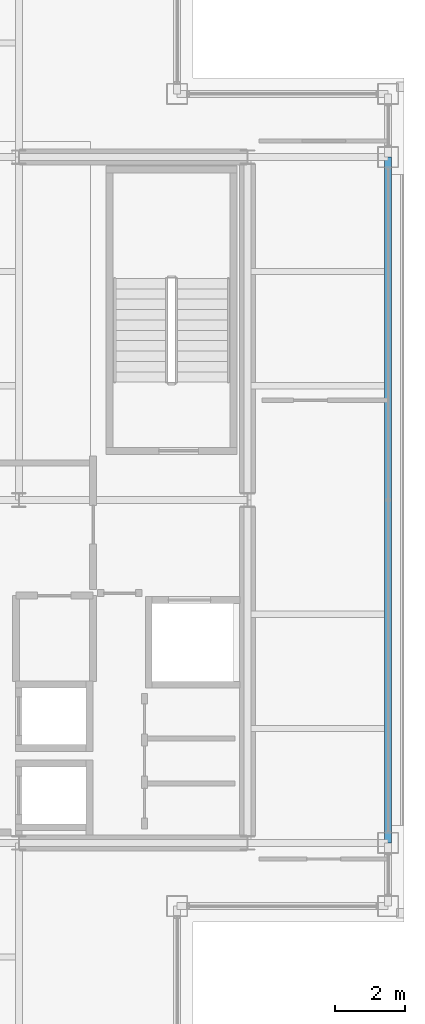
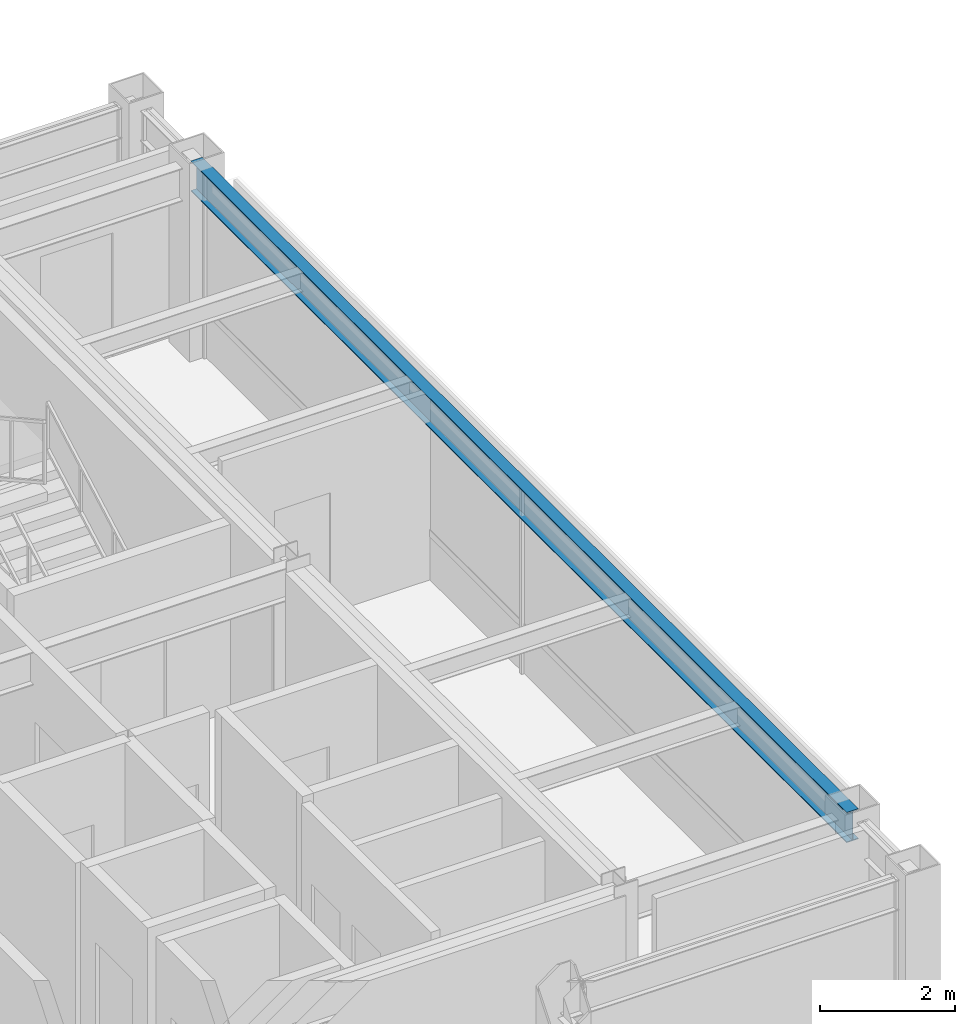
# One storey, part 12 of 22: 1 beam.
"""IFC4 building model written with IfcOpenShell, lengths in metres."""

from ifc_helpers import new_model, si_unit, direction, frame, origin, origin_2d, place, context, subcontext, project, spatial, i_section, extrude, material, material_profile, profile_set, type_object, element, save


model = new_model("IFC4")

# Units and contexts
model_context = context("Model", 3, precision=1e-05, world=origin(), true_north=direction((0.0, 1.0)))
body_context = subcontext(model_context, "Body", "Model", "MODEL_VIEW")
ifc_project = project(units=[si_unit("LENGTHUNIT", "METRE"), si_unit("AREAUNIT", "SQUARE_METRE"), si_unit("VOLUMEUNIT", "CUBIC_METRE"), si_unit("PLANEANGLEUNIT", "RADIAN"), si_unit("MASSUNIT", "GRAM", prefix="KILO")], contexts=[model_context])

# Site, building, storey
site_placement = place(None, origin())
site = spatial("IfcSite", under=ifc_project, at=site_placement, CompositionType="ELEMENT")
building_placement = place(site_placement, origin())
building = spatial("IfcBuilding", under=site, at=building_placement, Name="Brelmoor Portico Tower", CompositionType="ELEMENT")
storey_placement = place(building_placement, frame((0.0, 0.0, 280.800048828125)))
storey = spatial("IfcBuildingStorey", under=building, at=storey_placement, Name="L74", CompositionType="ELEMENT", Elevation=280.800048828125)

# Beam
ifc_material = material(Name="Steel Q355B", Category="steel")
ifc_material_profile = material_profile(ifc_material, i_section(OverallWidth=0.199951171875, OverallDepth=0.550048828125, WebThickness=0.010009765625, FlangeThickness=0.01611328125, at=origin_2d()), Name="HN 550x200x10x16")
ifc_profile_set = profile_set([ifc_material_profile], Name="Steel Q355B")
beam_type = type_object("IfcBeamType", Name="BM-SP-550", PredefinedType="SPANDREL", material=ifc_profile_set)
beam_placement = place(storey_placement, frame((18.550048828125, -9.75, 3.125), z_axis=(0.0, 1.0, 0.0), x_axis=(-1.0, 0.0, 0.0)))
element("IfcBeam", 1, at=beam_placement, inside=storey, type_object=beam_type, Name="L74 Perimeter Spandrel Beam SP-19", PredefinedType="SPANDREL", context=body_context, shape_type="SweptSolid", body=[
    extrude(i_section(OverallWidth=0.199951171875, OverallDepth=0.550048828125, WebThickness=0.010009765625, FlangeThickness=0.01611328125, at=origin_2d()), origin(), (0.0, 0.0, 1.0), 19.5),
])

save(model, "model.ifc")
